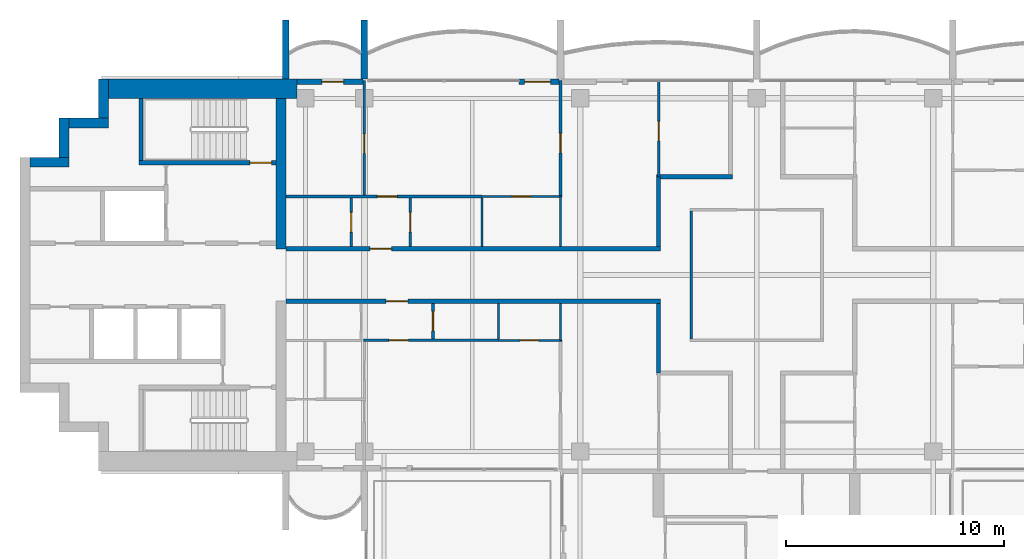
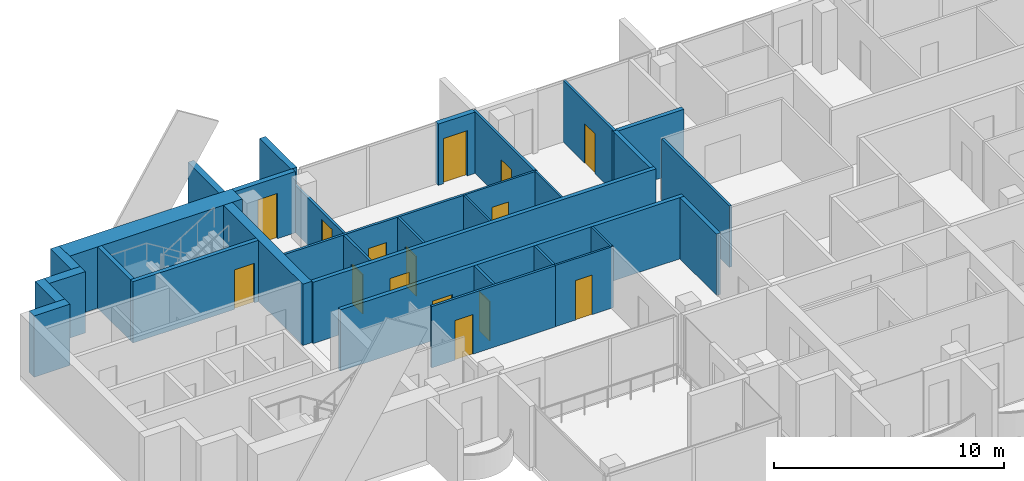
# One storey, part 8 of 16: 32 walls, 15 doors, 15 openings.
"""IFC4 building model written with IfcOpenShell, lengths in metres."""

from ifc_helpers import new_model, si_unit, direction, frame, frame_2d, origin, place, context, subcontext, project, spatial, rectangle, extrude, material, layer, layer_set, type_object, element, fill, save


model = new_model("IFC4")

# Units and contexts
model_context = context("Model", 3, precision=1e-05, world=origin(), true_north=direction((0.0, 1.0)))
body_context = subcontext(model_context, "Body", "Model", "MODEL_VIEW")
ifc_project = project(units=[si_unit("LENGTHUNIT", "METRE"), si_unit("AREAUNIT", "SQUARE_METRE"), si_unit("VOLUMEUNIT", "CUBIC_METRE"), si_unit("PLANEANGLEUNIT", "RADIAN"), si_unit("MASSUNIT", "GRAM", prefix="KILO")], contexts=[model_context])

# Site, building, storey
site_placement = place(None, origin())
site = spatial("IfcSite", under=ifc_project, at=site_placement, CompositionType="ELEMENT")
building_placement = place(site_placement, origin())
building = spatial("IfcBuilding", under=site, at=building_placement, Name="Perihelion Cross Residences", CompositionType="ELEMENT")
storey_placement = place(building_placement, frame((0.0, 0.0, 271.0)))
storey = spatial("IfcBuildingStorey", under=building, at=storey_placement, Name="L69", CompositionType="ELEMENT", Elevation=271.0)

# Wall, opening, door
ifc_material_1 = material(Name="Plasterboard partition")
ifc_layer_1 = layer(ifc_material_1, 0.199951171875)
ifc_layer_set_1 = layer_set([ifc_layer_1], Name="Apartment separation wall 200")
wall_type_1 = type_object("IfcWallType", Name="Apartment separation wall 200", PredefinedType="PARTITIONING", material=ifc_layer_set_1)
wall_1_placement = place(storey_placement, frame((-21.60009765625, 1.199951171875, 0.0), z_axis=(0.0, 0.0, 1.0), x_axis=(1.0, 0.0, 0.0)))
wall_1 = element("IfcWall", 1, at=wall_1_placement, inside=storey, type_object=wall_type_1, Name="Partition L69 W013", PredefinedType="PARTITIONING", context=body_context, shape_type="SweptSolid", body=[
    extrude(rectangle(XDim=17.2001953125, YDim=0.199951171875, at=frame_2d((8.60009765625, 0.0))), origin(), (0.0, 0.0, 1.0), 3.25),
])
opening_1_placement = place(wall_1_placement, frame((3.85009765625, 0.0, 0.0)))
opening_1 = element("IfcOpeningElement", 2, at=opening_1_placement, cuts=wall_1, Name="Opening L69.A42", PredefinedType="OPENING", context=body_context, shape_type="SweptSolid", body=[
    extrude(rectangle(XDim=1.0, YDim=2.10009765625, at=frame_2d((0.5, 1.050048828125))), frame((0.0, 0.10986328125, 0.0), z_axis=(0.0, -1.0, 0.0), x_axis=(1.0, 0.0, 0.0)), (0.0, 0.0, 1.0), 0.219970703125),
])
ifc_material_2 = material(Name="Timber door leaf", Category="wood")
door_type_1 = type_object("IfcDoorType", Name="Flat entrance door 1000 x 2100", OperationType="SINGLE_SWING_LEFT", PredefinedType="DOOR", material=ifc_material_2)
door_1_placement = place(opening_1_placement, origin())
door_1 = element("IfcDoor", 3, at=door_1_placement, inside=storey, type_object=door_type_1, Name="Door L69.A42", OperationType="SINGLE_SWING_RIGHT", OverallHeight=2.10009765625, OverallWidth=1.0, PredefinedType="DOOR", context=body_context, shape_type="SweptSolid", body=[
    extrude(rectangle(XDim=1.0, YDim=2.10009765625, at=frame_2d((0.5, 1.050048828125))), frame((0.0, 0.02490234375, 0.0), z_axis=(0.0, -1.0, 0.0), x_axis=(1.0, 0.0, 0.0)), (0.0, 0.0, 1.0), 0.050048828125),
])
fill(opening_1, door_1)

# Walls
wall_2_placement = place(storey_placement, frame((-4.5, 1.300048828125, 0.0), z_axis=(0.0, 0.0, 1.0), x_axis=(0.0, 1.0, 0.0)))
element("IfcWall", 4, at=wall_2_placement, inside=storey, type_object=wall_type_1, Name="Partition L69 W014", PredefinedType="PARTITIONING", context=body_context, shape_type="SweptSolid", body=[
    extrude(rectangle(XDim=3.199951171875, YDim=0.199951171875, at=frame_2d((1.60009765625, 0.0))), origin(), (0.0, 0.0, 1.0), 3.25),
])
wall_3_placement = place(storey_placement, frame((-4.60009765625, 4.5, 0.0), z_axis=(0.0, 0.0, 1.0), x_axis=(1.0, 0.0, 0.0)))
element("IfcWall", 5, at=wall_3_placement, inside=storey, type_object=wall_type_1, Name="Partition L69 W015", PredefinedType="PARTITIONING", context=body_context, shape_type="SweptSolid", body=[
    extrude(rectangle(XDim=3.5, YDim=0.199951171875, at=frame_2d((1.75, 0.0))), origin(), (0.0, 0.0, 1.0), 3.25),
])

# Wall, opening, door
wall_4_placement = place(storey_placement, frame((-4.39990234375, -1.199951171875, 0.0), z_axis=(0.0, 0.0, 1.0), x_axis=(-1.0, 0.0, 0.0)))
wall_4 = element("IfcWall", 6, at=wall_4_placement, inside=storey, type_object=wall_type_1, Name="Partition L69 W017", PredefinedType="PARTITIONING", context=body_context, shape_type="SweptSolid", body=[
    extrude(rectangle(XDim=17.2001953125, YDim=0.199951171875, at=frame_2d((8.60009765625, 0.0))), origin(), (0.0, 0.0, 1.0), 3.25),
])
opening_2_placement = place(wall_4_placement, frame((11.60009765625, 0.0, 0.0)))
opening_2 = element("IfcOpeningElement", 7, at=opening_2_placement, cuts=wall_4, Name="Opening L69.A43", PredefinedType="OPENING", context=body_context, shape_type="SweptSolid", body=[
    extrude(rectangle(XDim=1.0, YDim=2.10009765625, at=frame_2d((0.5, 1.050048828125))), frame((0.0, 0.10986328125, 0.0), z_axis=(0.0, -1.0, 0.0), x_axis=(1.0, 0.0, 0.0)), (0.0, 0.0, 1.0), 0.219970703125),
])
door_2_placement = place(opening_2_placement, origin())
door_2 = element("IfcDoor", 8, at=door_2_placement, inside=storey, type_object=door_type_1, Name="Door L69.A43", OperationType="SINGLE_SWING_RIGHT", OverallHeight=2.10009765625, OverallWidth=1.0, PredefinedType="DOOR", context=body_context, shape_type="SweptSolid", body=[
    extrude(rectangle(XDim=1.0, YDim=2.10009765625, at=frame_2d((0.5, 1.050048828125))), frame((0.0, 0.02490234375, 0.0), z_axis=(0.0, -1.0, 0.0), x_axis=(1.0, 0.0, 0.0)), (0.0, 0.0, 1.0), 0.050048828125),
])
fill(opening_2, door_2)

# Wall
wall_5_placement = place(storey_placement, frame((-4.5, -4.5, 0.0), z_axis=(0.0, 0.0, 1.0), x_axis=(0.0, 1.0, 0.0)))
element("IfcWall", 9, at=wall_5_placement, inside=storey, type_object=wall_type_1, Name="Partition L69 W018", PredefinedType="PARTITIONING", context=body_context, shape_type="SweptSolid", body=[
    extrude(rectangle(XDim=3.199951171875, YDim=0.199951171875, at=frame_2d((1.60009765625, 0.0))), origin(), (0.0, 0.0, 1.0), 3.25),
])

# Wall, opening, door
ifc_material_3 = material(Name="Concrete C30/37, bronze-clad", Category="concrete")
ifc_layer_2 = layer(ifc_material_3, 0.25)
ifc_layer_set_2 = layer_set([ifc_layer_2], Name="Bronze-clad pier wall 250")
wall_type_2 = type_object("IfcWallType", Name="Bronze-clad pier wall 250", PredefinedType="SOLIDWALL", material=ifc_layer_set_2)
wall_6_placement = place(storey_placement, frame((-9.06005859375, 8.875, 0.0), z_axis=(0.0, 0.0, 1.0), x_axis=(-1.0, 0.0, 0.0)))
wall_6 = element("IfcWall", 10, at=wall_6_placement, inside=storey, type_object=wall_type_2, Name="Wall FW1 L69 west side north bay 1 pier", PredefinedType="SOLIDWALL", context=body_context, shape_type="SweptSolid", body=[
    extrude(rectangle(XDim=1.83984375, YDim=0.25, at=frame_2d((0.919921875, 0.0))), origin(), (0.0, 0.0, 1.0), 3.25),
])
opening_3_placement = place(wall_6_placement, frame((0.389892578125, 0.0, 0.0)))
opening_3 = element("IfcOpeningElement", 11, at=opening_3_placement, cuts=wall_6, Name="Opening L69.E05", PredefinedType="OPENING", context=body_context, shape_type="SweptSolid", body=[
    extrude(rectangle(XDim=1.199951171875, YDim=2.39990234375, at=frame_2d((0.60009765625, 1.199951171875))), frame((0.0, 0.135009765625, 0.0), z_axis=(0.0, -1.0, 0.0), x_axis=(1.0, 0.0, 0.0)), (0.0, 0.0, 1.0), 0.27001953125),
])
ifc_material_4 = material(Name="Bronze anodised aluminium, glazed", Category="aluminium")
door_type_2 = type_object("IfcDoorType", Name="Balcony door 1200 x 2400", OperationType="NOTDEFINED", PredefinedType="DOOR", material=ifc_material_4)
door_3_placement = place(opening_3_placement, origin())
door_3 = element("IfcDoor", 12, at=door_3_placement, inside=storey, type_object=door_type_2, Name="Door L69.E05 west side north bay 1", OperationType="SINGLE_SWING_LEFT", OverallHeight=2.39990234375, OverallWidth=1.199951171875, PredefinedType="DOOR", context=body_context, shape_type="SweptSolid", body=[
    extrude(rectangle(XDim=1.199951171875, YDim=2.39990234375, at=frame_2d((0.60009765625, 1.199951171875))), frame((0.0, 0.02490234375, 0.0), z_axis=(0.0, -1.0, 0.0), x_axis=(1.0, 0.0, 0.0)), (0.0, 0.0, 1.0), 0.050048828125),
])
fill(opening_3, door_3)

wall_7_placement = place(storey_placement, frame((-18.06005859375, 8.875, 0.0), z_axis=(0.0, 0.0, 1.0), x_axis=(-1.0, 0.0, 0.0)))
wall_7 = element("IfcWall", 13, at=wall_7_placement, inside=storey, type_object=wall_type_2, Name="Wall FW1 L69 west side north bay 2 pier", PredefinedType="SOLIDWALL", context=body_context, shape_type="SweptSolid", body=[
    extrude(rectangle(XDim=3.0400390625, YDim=0.25, at=frame_2d((1.52001953125, 0.0))), origin(), (0.0, 0.0, 1.0), 3.25),
])
opening_4_placement = place(wall_7_placement, frame((0.889892578125, 0.0, 0.0)))
opening_4 = element("IfcOpeningElement", 14, at=opening_4_placement, cuts=wall_7, Name="Opening L69.E06", PredefinedType="OPENING", context=body_context, shape_type="SweptSolid", body=[
    extrude(rectangle(XDim=1.0, YDim=2.39990234375, at=frame_2d((0.5, 1.199951171875))), frame((0.0, 0.135009765625, 0.0), z_axis=(0.0, -1.0, 0.0), x_axis=(1.0, 0.0, 0.0)), (0.0, 0.0, 1.0), 0.27001953125),
])
ifc_material_5 = material(Name="Bronze anodised aluminium, glazed", Category="aluminium")
door_type_3 = type_object("IfcDoorType", Name="Balcony door 1000 x 2400", OperationType="NOTDEFINED", PredefinedType="DOOR", material=ifc_material_5)
door_4_placement = place(opening_4_placement, origin())
door_4 = element("IfcDoor", 15, at=door_4_placement, inside=storey, type_object=door_type_3, Name="Door L69.E06 west side north bay 2", OperationType="SINGLE_SWING_RIGHT", OverallHeight=2.39990234375, OverallWidth=1.0, PredefinedType="DOOR", context=body_context, shape_type="SweptSolid", body=[
    extrude(rectangle(XDim=1.0, YDim=2.39990234375, at=frame_2d((0.5, 1.199951171875))), frame((0.0, 0.02490234375, 0.0), z_axis=(0.0, -1.0, 0.0), x_axis=(1.0, 0.0, 0.0)), (0.0, 0.0, 1.0), 0.050048828125),
])
fill(opening_4, door_4)

# Walls
ifc_material_6 = material(Name="Concrete C60/75", Category="concrete")
ifc_layer_3 = layer(ifc_material_6, 0.449951171875)
ifc_layer_set_3 = layer_set([ifc_layer_3], Name="Core wall, inner 450")
wall_type_3 = type_object("IfcWallType", Name="Core wall, inner 450", PredefinedType="SHEAR", material=ifc_layer_set_3)
wall_8_placement = place(storey_placement, frame((-21.824951171875, 1.199951171875, 0.0), z_axis=(0.0, 0.0, 1.0), x_axis=(0.0, 1.0, 0.0)))
element("IfcWall", 16, at=wall_8_placement, inside=storey, type_object=wall_type_3, Name="West core core wall, inner", PredefinedType="SHEAR", context=body_context, shape_type="SweptSolid", body=[
    extrude(rectangle(XDim=6.900146484375, YDim=0.449951171875, at=frame_2d((3.4501953125, 0.0))), origin(), (0.0, 0.0, 1.0), 3.25),
])
ifc_material_7 = material(Name="Concrete C60/75", Category="concrete")
ifc_layer_4 = layer(ifc_material_7, 0.449951171875)
ifc_layer_set_4 = layer_set([ifc_layer_4], Name="Core wall, outer 450")
wall_type_4 = type_object("IfcWallType", Name="Core wall, outer 450", PredefinedType="SHEAR", material=ifc_layer_set_4)
for number, where, z_axis, x_axis, name in (
    (17, (-33.35009765625, 5.175048828125, 0.0), (0.0, 0.0, 1.0), (1.0, 0.0, 0.0), "West core core wall, outer"),
    (18, (-31.77490234375, 5.39990234375, 0.0), (0.0, 0.0, 1.0), (0.0, 1.0, 0.0), "West core core wall, outer"),
    (19, (-31.550048828125, 6.97509765625, 0.0), (0.0, 0.0, 1.0), (1.0, 0.0, 0.0), "West core core wall, outer"),
    (20, (-29.97509765625, 7.199951171875, 0.0), (0.0, 0.0, 1.0), (0.0, 1.0, 0.0), "West core core wall, outer"),
):
    element("IfcWall", number, at=place(storey_placement, frame(where, z_axis=z_axis, x_axis=x_axis)), inside=storey, type_object=wall_type_4, Name=name, PredefinedType="SHEAR", context=body_context, shape_type="SweptSolid", body=[
        extrude(rectangle(XDim=1.800048828125, YDim=0.449951171875, at=frame_2d((0.89990234375, 0.0))), origin(), (0.0, 0.0, 1.0), 3.25),
    ])
ifc_material_8 = material(Name="Concrete C60/75", Category="concrete")
ifc_layer_5 = layer(ifc_material_8, 0.89990234375)
ifc_layer_set_5 = layer_set([ifc_layer_5], Name="Core wall, outer 900")
wall_type_5 = type_object("IfcWallType", Name="Core wall, outer 900", PredefinedType="SHEAR", material=ifc_layer_set_5)
wall_9_placement = place(storey_placement, frame((-29.75, 8.550048828125, 0.0), z_axis=(0.0, 0.0, 1.0), x_axis=(1.0, 0.0, 0.0)))
element("IfcWall", 21, at=wall_9_placement, inside=storey, type_object=wall_type_5, Name="West core core wall, outer", PredefinedType="SHEAR", context=body_context, shape_type="SweptSolid", body=[
    extrude(rectangle(XDim=8.64990234375, YDim=0.89990234375, at=frame_2d((4.324951171875, 0.0))), origin(), (0.0, 0.0, 1.0), 3.25),
])
ifc_material_9 = material(Name="Plasterboard partition")
ifc_layer_6 = layer(ifc_material_9, 0.1201171875)
ifc_layer_set_6 = layer_set([ifc_layer_6], Name="Partition wall 120")
wall_type_6 = type_object("IfcWallType", Name="Partition wall 120", PredefinedType="PARTITIONING", material=ifc_layer_set_6)
wall_10_placement = place(storey_placement, frame((-3.0, 2.93994140625, 0.0), z_axis=(0.0, 0.0, 1.0), x_axis=(0.0, -1.0, 0.0)))
element("IfcWall", 22, at=wall_10_placement, inside=storey, type_object=wall_type_6, Name="Partition L69 W004", PredefinedType="PARTITIONING", context=body_context, shape_type="SweptSolid", body=[
    extrude(rectangle(XDim=5.8798828125, YDim=0.1201171875, at=frame_2d((2.93994140625, 0.0))), origin(), (0.0, 0.0, 1.0), 3.25),
])

# Wall, opening, door
wall_11_placement = place(storey_placement, frame((-15.89990234375, 1.300048828125, 0.0), z_axis=(0.0, 0.0, 1.0), x_axis=(0.0, 1.0, 0.0)))
wall_11 = element("IfcWall", 23, at=wall_11_placement, inside=storey, type_object=wall_type_6, Name="Partition L69 W047", PredefinedType="PARTITIONING", context=body_context, shape_type="SweptSolid", body=[
    extrude(rectangle(XDim=2.239990234375, YDim=0.1201171875, at=frame_2d((1.1201171875, 0.0))), origin(), (0.0, 0.0, 1.0), 3.25),
])
opening_5_placement = place(wall_11_placement, frame((0.669921875, 0.0, 0.0)))
opening_5 = element("IfcOpeningElement", 24, at=opening_5_placement, cuts=wall_11, Name="Opening L69.A20", PredefinedType="OPENING", context=body_context, shape_type="SweptSolid", body=[
    extrude(rectangle(XDim=0.89990234375, YDim=2.10009765625, at=frame_2d((0.449951171875, 1.050048828125))), frame((0.0, 0.070068359375, 0.0), z_axis=(0.0, -1.0, 0.0), x_axis=(1.0, 0.0, 0.0)), (0.0, 0.0, 1.0), 0.14013671875),
])
ifc_material_10 = material(Name="Timber door leaf", Category="wood")
door_type_4 = type_object("IfcDoorType", Name="Interior room door 900 x 2100", OperationType="SINGLE_SWING_LEFT", PredefinedType="DOOR", material=ifc_material_10)
door_5_placement = place(opening_5_placement, origin())
door_5 = element("IfcDoor", 25, at=door_5_placement, inside=storey, type_object=door_type_4, Name="Door L69.A20", OperationType="SINGLE_SWING_LEFT", OverallHeight=2.10009765625, OverallWidth=0.89990234375, PredefinedType="DOOR", context=body_context, shape_type="SweptSolid", body=[
    extrude(rectangle(XDim=0.89990234375, YDim=2.10009765625, at=frame_2d((0.449951171875, 1.050048828125))), frame((0.0, 0.02490234375, 0.0), z_axis=(0.0, -1.0, 0.0), x_axis=(1.0, 0.0, 0.0)), (0.0, 0.0, 1.0), 0.050048828125),
])
fill(opening_5, door_5)

wall_12_placement = place(storey_placement, frame((-21.60009765625, 3.60009765625, 0.0), z_axis=(0.0, 0.0, 1.0), x_axis=(1.0, 0.0, 0.0)))
wall_12 = element("IfcWall", 26, at=wall_12_placement, inside=storey, type_object=wall_type_6, Name="Partition L69 W048", PredefinedType="PARTITIONING", context=body_context, shape_type="SweptSolid", body=[
    extrude(rectangle(XDim=9.0, YDim=0.1201171875, at=frame_2d((4.5, 0.0))), origin(), (0.0, 0.0, 1.0), 3.25),
])
opening_6_placement = place(wall_12_placement, frame((4.199951171875, 0.0, 0.0)))
opening_6 = element("IfcOpeningElement", 27, at=opening_6_placement, cuts=wall_12, Name="Opening L69.A21", PredefinedType="OPENING", context=body_context, shape_type="SweptSolid", body=[
    extrude(rectangle(XDim=0.89990234375, YDim=2.10009765625, at=frame_2d((0.449951171875, 1.050048828125))), frame((0.0, 0.070068359375, 0.0), z_axis=(0.0, -1.0, 0.0), x_axis=(1.0, 0.0, 0.0)), (0.0, 0.0, 1.0), 0.14013671875),
])
door_6_placement = place(opening_6_placement, origin())
door_6 = element("IfcDoor", 28, at=door_6_placement, inside=storey, type_object=door_type_4, Name="Door L69.A21", OperationType="SINGLE_SWING_LEFT", OverallHeight=2.10009765625, OverallWidth=0.89990234375, PredefinedType="DOOR", context=body_context, shape_type="SweptSolid", body=[
    extrude(rectangle(XDim=0.89990234375, YDim=2.10009765625, at=frame_2d((0.449951171875, 1.050048828125))), frame((0.0, 0.02490234375, 0.0), z_axis=(0.0, -1.0, 0.0), x_axis=(1.0, 0.0, 0.0)), (0.0, 0.0, 1.0), 0.050048828125),
])
fill(opening_6, door_6)

wall_13_placement = place(storey_placement, frame((-18.60009765625, 1.300048828125, 0.0), z_axis=(0.0, 0.0, 1.0), x_axis=(0.0, 1.0, 0.0)))
wall_13 = element("IfcWall", 29, at=wall_13_placement, inside=storey, type_object=wall_type_6, Name="Partition L69 W049", PredefinedType="PARTITIONING", context=body_context, shape_type="SweptSolid", body=[
    extrude(rectangle(XDim=2.239990234375, YDim=0.1201171875, at=frame_2d((1.1201171875, 0.0))), origin(), (0.0, 0.0, 1.0), 3.25),
])
opening_7_placement = place(wall_13_placement, frame((0.669921875, 0.0, 0.0)))
opening_7 = element("IfcOpeningElement", 30, at=opening_7_placement, cuts=wall_13, Name="Opening L69.A19", PredefinedType="OPENING", context=body_context, shape_type="SweptSolid", body=[
    extrude(rectangle(XDim=0.89990234375, YDim=2.10009765625, at=frame_2d((0.449951171875, 1.050048828125))), frame((0.0, 0.070068359375, 0.0), z_axis=(0.0, -1.0, 0.0), x_axis=(1.0, 0.0, 0.0)), (0.0, 0.0, 1.0), 0.14013671875),
])
door_7_placement = place(opening_7_placement, origin())
door_7 = element("IfcDoor", 31, at=door_7_placement, inside=storey, type_object=door_type_4, Name="Door L69.A19", OperationType="SINGLE_SWING_LEFT", OverallHeight=2.10009765625, OverallWidth=0.89990234375, PredefinedType="DOOR", context=body_context, shape_type="SweptSolid", body=[
    extrude(rectangle(XDim=0.89990234375, YDim=2.10009765625, at=frame_2d((0.449951171875, 1.050048828125))), frame((0.0, 0.02490234375, 0.0), z_axis=(0.0, -1.0, 0.0), x_axis=(1.0, 0.0, 0.0)), (0.0, 0.0, 1.0), 0.050048828125),
])
fill(opening_7, door_7)

wall_14_placement = place(storey_placement, frame((-18.0, 3.659912109375, 0.0), z_axis=(0.0, 0.0, 1.0), x_axis=(0.0, 1.0, 0.0)))
wall_14 = element("IfcWall", 32, at=wall_14_placement, inside=storey, type_object=wall_type_6, Name="Partition L69 W050", PredefinedType="PARTITIONING", context=body_context, shape_type="SweptSolid", body=[
    extrude(rectangle(XDim=5.260009765625, YDim=0.1201171875, at=frame_2d((2.6298828125, 0.0))), origin(), (0.0, 0.0, 1.0), 2.49609375),
])
opening_8_placement = place(wall_14_placement, frame((1.919921875, 0.0, 0.0)))
opening_8 = element("IfcOpeningElement", 33, at=opening_8_placement, cuts=wall_14, Name="Opening L69.A22", PredefinedType="OPENING", context=body_context, shape_type="SweptSolid", body=[
    extrude(rectangle(XDim=0.89990234375, YDim=2.10009765625, at=frame_2d((0.449951171875, 1.050048828125))), frame((0.0, 0.070068359375, 0.0), z_axis=(0.0, -1.0, 0.0), x_axis=(1.0, 0.0, 0.0)), (0.0, 0.0, 1.0), 0.14013671875),
])
door_8_placement = place(opening_8_placement, origin())
door_8 = element("IfcDoor", 34, at=door_8_placement, inside=storey, type_object=door_type_4, Name="Door L69.A22", OperationType="SINGLE_SWING_RIGHT", OverallHeight=2.10009765625, OverallWidth=0.89990234375, PredefinedType="DOOR", context=body_context, shape_type="SweptSolid", body=[
    extrude(rectangle(XDim=0.89990234375, YDim=2.10009765625, at=frame_2d((0.449951171875, 1.050048828125))), frame((0.0, 0.02490234375, 0.0), z_axis=(0.0, -1.0, 0.0), x_axis=(1.0, 0.0, 0.0)), (0.0, 0.0, 1.0), 0.050048828125),
])
fill(opening_8, door_8)

wall_15_placement = place(storey_placement, frame((-9.0, 8.919921875, 0.0), z_axis=(0.0, 0.0, 1.0), x_axis=(0.0, -1.0, 0.0)))
wall_15 = element("IfcWall", 35, at=wall_15_placement, inside=storey, type_object=wall_type_6, Name="Partition L69 W051", PredefinedType="PARTITIONING", context=body_context, shape_type="SweptSolid", body=[
    extrude(rectangle(XDim=5.31982421875, YDim=0.1201171875, at=frame_2d((2.659912109375, 0.0))), origin(), (0.0, 0.0, 1.0), 3.25),
])
opening_9_placement = place(wall_15_placement, frame((2.419921875, 0.0, 0.0)))
opening_9 = element("IfcOpeningElement", 36, at=opening_9_placement, cuts=wall_15, Name="Opening L69.A24", PredefinedType="OPENING", context=body_context, shape_type="SweptSolid", body=[
    extrude(rectangle(XDim=0.89990234375, YDim=2.10009765625, at=frame_2d((0.449951171875, 1.050048828125))), frame((0.0, 0.070068359375, 0.0), z_axis=(0.0, -1.0, 0.0), x_axis=(1.0, 0.0, 0.0)), (0.0, 0.0, 1.0), 0.14013671875),
])
door_9_placement = place(opening_9_placement, origin())
door_9 = element("IfcDoor", 37, at=door_9_placement, inside=storey, type_object=door_type_4, Name="Door L69.A24", OperationType="SINGLE_SWING_RIGHT", OverallHeight=2.10009765625, OverallWidth=0.89990234375, PredefinedType="DOOR", context=body_context, shape_type="SweptSolid", body=[
    extrude(rectangle(XDim=0.89990234375, YDim=2.10009765625, at=frame_2d((0.449951171875, 1.050048828125))), frame((0.0, 0.02490234375, 0.0), z_axis=(0.0, -1.0, 0.0), x_axis=(1.0, 0.0, 0.0)), (0.0, 0.0, 1.0), 0.050048828125),
])
fill(opening_9, door_9)

wall_16_placement = place(storey_placement, frame((-4.5, 8.919921875, 0.0), z_axis=(0.0, 0.0, 1.0), x_axis=(0.0, -1.0, 0.0)))
wall_16 = element("IfcWall", 38, at=wall_16_placement, inside=storey, type_object=wall_type_6, Name="Partition L69 W052", PredefinedType="PARTITIONING", context=body_context, shape_type="SweptSolid", body=[
    extrude(rectangle(XDim=4.419921875, YDim=0.1201171875, at=frame_2d((2.2099609375, 0.0))), origin(), (0.0, 0.0, 1.0), 3.25),
])
opening_10_placement = place(wall_16_placement, frame((1.8701171875, 0.0, 0.0)))
opening_10 = element("IfcOpeningElement", 39, at=opening_10_placement, cuts=wall_16, Name="Opening L69.A18", PredefinedType="OPENING", context=body_context, shape_type="SweptSolid", body=[
    extrude(rectangle(XDim=0.89990234375, YDim=2.10009765625, at=frame_2d((0.449951171875, 1.050048828125))), frame((0.0, 0.070068359375, 0.0), z_axis=(0.0, -1.0, 0.0), x_axis=(1.0, 0.0, 0.0)), (0.0, 0.0, 1.0), 0.14013671875),
])
door_10_placement = place(opening_10_placement, origin())
door_10 = element("IfcDoor", 40, at=door_10_placement, inside=storey, type_object=door_type_4, Name="Door L69.A18", OperationType="SINGLE_SWING_RIGHT", OverallHeight=2.10009765625, OverallWidth=0.89990234375, PredefinedType="DOOR", context=body_context, shape_type="SweptSolid", body=[
    extrude(rectangle(XDim=0.89990234375, YDim=2.10009765625, at=frame_2d((0.449951171875, 1.050048828125))), frame((0.0, 0.02490234375, 0.0), z_axis=(0.0, -1.0, 0.0), x_axis=(1.0, 0.0, 0.0)), (0.0, 0.0, 1.0), 0.050048828125),
])
fill(opening_10, door_10)

wall_17_placement = place(storey_placement, frame((-14.85009765625, -2.93994140625, 0.0), z_axis=(0.0, 0.0, 1.0), x_axis=(0.0, 1.0, 0.0)))
wall_17 = element("IfcWall", 41, at=wall_17_placement, inside=storey, type_object=wall_type_6, Name="Partition L69 W056", PredefinedType="PARTITIONING", context=body_context, shape_type="SweptSolid", body=[
    extrude(rectangle(XDim=1.639892578125, YDim=0.1201171875, at=frame_2d((0.81982421875, 0.0))), origin(), (0.0, 0.0, 1.0), 3.25),
])
opening_11_placement = place(wall_17_placement, frame((0.3701171875, 0.0, 0.0)))
opening_11 = element("IfcOpeningElement", 42, at=opening_11_placement, cuts=wall_17, Name="Opening L69.A30", PredefinedType="OPENING", context=body_context, shape_type="SweptSolid", body=[
    extrude(rectangle(XDim=0.89990234375, YDim=2.10009765625, at=frame_2d((0.449951171875, 1.050048828125))), frame((0.0, 0.070068359375, 0.0), z_axis=(0.0, -1.0, 0.0), x_axis=(1.0, 0.0, 0.0)), (0.0, 0.0, 1.0), 0.14013671875),
])
door_11_placement = place(opening_11_placement, origin())
door_11 = element("IfcDoor", 43, at=door_11_placement, inside=storey, type_object=door_type_4, Name="Door L69.A30", OperationType="SINGLE_SWING_LEFT", OverallHeight=2.10009765625, OverallWidth=0.89990234375, PredefinedType="DOOR", context=body_context, shape_type="SweptSolid", body=[
    extrude(rectangle(XDim=0.89990234375, YDim=2.10009765625, at=frame_2d((0.449951171875, 1.050048828125))), frame((0.0, 0.02490234375, 0.0), z_axis=(0.0, -1.0, 0.0), x_axis=(1.0, 0.0, 0.0)), (0.0, 0.0, 1.0), 0.050048828125),
])
fill(opening_11, door_11)

wall_18_placement = place(storey_placement, frame((-11.85009765625, -3.0, 0.0), z_axis=(0.0, 0.0, 1.0), x_axis=(-1.0, 0.0, 0.0)))
wall_18 = element("IfcWall", 44, at=wall_18_placement, inside=storey, type_object=wall_type_6, Name="Partition L69 W057", PredefinedType="PARTITIONING", context=body_context, shape_type="SweptSolid", body=[
    extrude(rectangle(XDim=6.199951171875, YDim=0.1201171875, at=frame_2d((3.10009765625, 0.0))), origin(), (0.0, 0.0, 1.0), 3.25),
])
opening_12_placement = place(wall_18_placement, frame((4.125, 0.0, 0.0)))
opening_12 = element("IfcOpeningElement", 45, at=opening_12_placement, cuts=wall_18, Name="Opening L69.A31", PredefinedType="OPENING", context=body_context, shape_type="SweptSolid", body=[
    extrude(rectangle(XDim=0.89990234375, YDim=2.10009765625, at=frame_2d((0.449951171875, 1.050048828125))), frame((0.0, 0.070068359375, 0.0), z_axis=(0.0, -1.0, 0.0), x_axis=(1.0, 0.0, 0.0)), (0.0, 0.0, 1.0), 0.14013671875),
])
door_12_placement = place(opening_12_placement, origin())
door_12 = element("IfcDoor", 46, at=door_12_placement, inside=storey, type_object=door_type_4, Name="Door L69.A31", OperationType="SINGLE_SWING_RIGHT", OverallHeight=2.10009765625, OverallWidth=0.89990234375, PredefinedType="DOOR", context=body_context, shape_type="SweptSolid", body=[
    extrude(rectangle(XDim=0.89990234375, YDim=2.10009765625, at=frame_2d((0.449951171875, 1.050048828125))), frame((0.0, 0.02490234375, 0.0), z_axis=(0.0, -1.0, 0.0), x_axis=(1.0, 0.0, 0.0)), (0.0, 0.0, 1.0), 0.050048828125),
])
fill(opening_12, door_12)

# Walls
ifc_material_11 = material(Name="Precast concrete C50/60", Category="concrete")
ifc_layer_7 = layer(ifc_material_11, 0.300048828125)
ifc_layer_set_7 = layer_set([ifc_layer_7], Name="Precast concrete C50/60 blade wall 300")
wall_type_7 = type_object("IfcWallType", Name="Precast concrete C50/60 blade wall 300", PredefinedType="SOLIDWALL", material=ifc_layer_set_7)
for number, where, z_axis, x_axis, name in (
    (47, (-21.60009765625, 9.0, 0.0), (0.0, 0.0, 1.0), (0.0, 1.0, 0.0), "Wall BL1 L69 no. 4"),
    (48, (-18.0, 9.0, 0.0), (0.0, 0.0, 1.0), (0.0, 1.0, 0.0), "Wall BL1 L69 no. 2"),
):
    element("IfcWall", number, at=place(storey_placement, frame(where, z_axis=z_axis, x_axis=x_axis)), inside=storey, type_object=wall_type_7, Name=name, PredefinedType="SOLIDWALL", context=body_context, shape_type="SweptSolid", body=[
        extrude(rectangle(XDim=2.699951171875, YDim=0.300048828125, at=frame_2d((1.35009765625, 0.0))), origin(), (0.0, 0.0, 1.0), 3.25),
    ])

# Wall, opening, door
ifc_material_12 = material(Name="Concrete C50/60", Category="concrete")
ifc_layer_8 = layer(ifc_material_12, 0.199951171875)
ifc_layer_set_8 = layer_set([ifc_layer_8], Name="Stair wall 200")
wall_type_8 = type_object("IfcWallType", Name="Stair wall 200", PredefinedType="SOLIDWALL", material=ifc_layer_set_8)
wall_19_placement = place(storey_placement, frame((-28.35009765625, 5.14990234375, 0.0), z_axis=(0.0, 0.0, 1.0), x_axis=(1.0, 0.0, 0.0)))
wall_19 = element("IfcWall", 49, at=wall_19_placement, inside=storey, type_object=wall_type_8, Name="West core stair wall", PredefinedType="SOLIDWALL", context=body_context, shape_type="SweptSolid", body=[
    extrude(rectangle(XDim=6.300048828125, YDim=0.199951171875, at=frame_2d((3.14990234375, 0.0))), origin(), (0.0, 0.0, 1.0), 3.25),
])
opening_13_placement = place(wall_19_placement, frame((5.10009765625, 0.0, 0.0)))
opening_13 = element("IfcOpeningElement", 50, at=opening_13_placement, cuts=wall_19, Name="Opening L69.C18", PredefinedType="OPENING", context=body_context, shape_type="SweptSolid", body=[
    extrude(rectangle(XDim=1.0, YDim=2.10009765625, at=frame_2d((0.5, 1.050048828125))), frame((0.0, 0.10986328125, 0.0), z_axis=(0.0, -1.0, 0.0), x_axis=(1.0, 0.0, 0.0)), (0.0, 0.0, 1.0), 0.219970703125),
])
ifc_material_13 = material(Name="Steel, powder coated", Category="steel")
door_type_5 = type_object("IfcDoorType", Name="Stair door 1000", OperationType="SINGLE_SWING_LEFT", PredefinedType="DOOR", material=ifc_material_13)
door_13_placement = place(opening_13_placement, origin())
door_13 = element("IfcDoor", 51, at=door_13_placement, inside=storey, type_object=door_type_5, Name="West core stair door", OperationType="SINGLE_SWING_LEFT", OverallHeight=2.10009765625, OverallWidth=1.0, PredefinedType="DOOR", context=body_context, shape_type="SweptSolid", body=[
    extrude(rectangle(XDim=1.0, YDim=2.10009765625, at=frame_2d((0.5, 1.050048828125))), frame((0.0, 0.02490234375, 0.0), z_axis=(0.0, -1.0, 0.0), x_axis=(1.0, 0.0, 0.0)), (0.0, 0.0, 1.0), 0.050048828125),
])
fill(opening_13, door_13)

# Walls
wall_20_placement = place(storey_placement, frame((-28.25, 5.25, 0.0), z_axis=(0.0, 0.0, 1.0), x_axis=(0.0, 1.0, 0.0)))
element("IfcWall", 52, at=wall_20_placement, inside=storey, type_object=wall_type_8, Name="West core stair wall", PredefinedType="SOLIDWALL", context=body_context, shape_type="SweptSolid", body=[
    extrude(rectangle(XDim=2.85009765625, YDim=0.199951171875, at=frame_2d((1.425048828125, 0.0))), origin(), (0.0, 0.0, 1.0), 3.25),
])
ifc_material_14 = material(Name="Plasterboard partition")
ifc_layer_9 = layer(ifc_material_14, 0.10009765625)
ifc_layer_set_9 = layer_set([ifc_layer_9], Name="Wet room wall 100")
wall_type_9 = type_object("IfcWallType", Name="Wet room wall 100", PredefinedType="PARTITIONING", material=ifc_layer_set_9)
wall_21_placement = place(storey_placement, frame((-12.60009765625, 1.300048828125, 0.0), z_axis=(0.0, 0.0, 1.0), x_axis=(0.0, 1.0, 0.0)))
element("IfcWall", 53, at=wall_21_placement, inside=storey, type_object=wall_type_9, Name="Partition L69 W044", PredefinedType="PARTITIONING", context=body_context, shape_type="SweptSolid", body=[
    extrude(rectangle(XDim=2.239990234375, YDim=0.10009765625, at=frame_2d((1.1201171875, 0.0))), origin(), (0.0, 0.0, 1.0), 3.25),
])

# Wall, opening, door
wall_22_placement = place(storey_placement, frame((-12.60009765625, 3.60009765625, 0.0), z_axis=(0.0, 0.0, 1.0), x_axis=(1.0, 0.0, 0.0)))
wall_22 = element("IfcWall", 54, at=wall_22_placement, inside=storey, type_object=wall_type_9, Name="Partition L69 W045", PredefinedType="PARTITIONING", context=body_context, shape_type="SweptSolid", body=[
    extrude(rectangle(XDim=3.66015625, YDim=0.10009765625, at=frame_2d((1.830078125, 0.0))), origin(), (0.0, 0.0, 1.0), 3.25),
])
opening_14_placement = place(wall_22_placement, frame((1.375, 0.0, 0.0)))
opening_14 = element("IfcOpeningElement", 55, at=opening_14_placement, cuts=wall_22, Name="Opening L69.A23", PredefinedType="OPENING", context=body_context, shape_type="SweptSolid", body=[
    extrude(rectangle(XDim=0.85009765625, YDim=2.10009765625, at=frame_2d((0.425048828125, 1.050048828125))), frame((0.0, 0.06005859375, 0.0), z_axis=(0.0, -1.0, 0.0), x_axis=(1.0, 0.0, 0.0)), (0.0, 0.0, 1.0), 0.1201171875),
])
ifc_material_15 = material(Name="Timber door leaf", Category="wood")
door_type_6 = type_object("IfcDoorType", Name="Interior bathroom door 850 x 2100", OperationType="SINGLE_SWING_LEFT", PredefinedType="DOOR", material=ifc_material_15)
door_14_placement = place(opening_14_placement, origin())
door_14 = element("IfcDoor", 56, at=door_14_placement, inside=storey, type_object=door_type_6, Name="Door L69.A23", OperationType="SINGLE_SWING_LEFT", OverallHeight=2.10009765625, OverallWidth=0.85009765625, PredefinedType="DOOR", context=body_context, shape_type="SweptSolid", body=[
    extrude(rectangle(XDim=0.85009765625, YDim=2.10009765625, at=frame_2d((0.425048828125, 1.050048828125))), frame((0.0, 0.02490234375, 0.0), z_axis=(0.0, -1.0, 0.0), x_axis=(1.0, 0.0, 0.0)), (0.0, 0.0, 1.0), 0.050048828125),
])
fill(opening_14, door_14)

# Walls
wall_23_placement = place(storey_placement, frame((-9.0, 3.60009765625, 0.0), z_axis=(0.0, 0.0, 1.0), x_axis=(0.0, -1.0, 0.0)))
element("IfcWall", 57, at=wall_23_placement, inside=storey, type_object=wall_type_9, Name="Partition L69 W046", PredefinedType="PARTITIONING", context=body_context, shape_type="SweptSolid", body=[
    extrude(rectangle(XDim=2.300048828125, YDim=0.10009765625, at=frame_2d((1.14990234375, 0.0))), origin(), (0.0, 0.0, 1.0), 3.25),
])
wall_24_placement = place(storey_placement, frame((-11.85009765625, -2.93994140625, 0.0), z_axis=(0.0, 0.0, 1.0), x_axis=(0.0, 1.0, 0.0)))
element("IfcWall", 58, at=wall_24_placement, inside=storey, type_object=wall_type_9, Name="Partition L69 W053", PredefinedType="PARTITIONING", context=body_context, shape_type="SweptSolid", body=[
    extrude(rectangle(XDim=1.639892578125, YDim=0.10009765625, at=frame_2d((0.81982421875, 0.0))), origin(), (0.0, 0.0, 1.0), 3.25),
])

# Wall, opening, door
wall_25_placement = place(storey_placement, frame((-8.93994140625, -3.0, 0.0), z_axis=(0.0, 0.0, 1.0), x_axis=(-1.0, 0.0, 0.0)))
wall_25 = element("IfcWall", 59, at=wall_25_placement, inside=storey, type_object=wall_type_9, Name="Partition L69 W054", PredefinedType="PARTITIONING", context=body_context, shape_type="SweptSolid", body=[
    extrude(rectangle(XDim=2.91015625, YDim=0.10009765625, at=frame_2d((1.455078125, 0.0))), origin(), (0.0, 0.0, 1.0), 3.25),
])
opening_15_placement = place(wall_25_placement, frame((1.06005859375, 0.0, 0.0)))
opening_15 = element("IfcOpeningElement", 60, at=opening_15_placement, cuts=wall_25, Name="Opening L69.A26", PredefinedType="OPENING", context=body_context, shape_type="SweptSolid", body=[
    extrude(rectangle(XDim=0.85009765625, YDim=2.10009765625, at=frame_2d((0.425048828125, 1.050048828125))), frame((0.0, 0.06005859375, 0.0), z_axis=(0.0, -1.0, 0.0), x_axis=(1.0, 0.0, 0.0)), (0.0, 0.0, 1.0), 0.1201171875),
])
door_15_placement = place(opening_15_placement, origin())
door_15 = element("IfcDoor", 61, at=door_15_placement, inside=storey, type_object=door_type_6, Name="Door L69.A26", OperationType="SINGLE_SWING_LEFT", OverallHeight=2.10009765625, OverallWidth=0.85009765625, PredefinedType="DOOR", context=body_context, shape_type="SweptSolid", body=[
    extrude(rectangle(XDim=0.85009765625, YDim=2.10009765625, at=frame_2d((0.425048828125, 1.050048828125))), frame((0.0, 0.02490234375, 0.0), z_axis=(0.0, -1.0, 0.0), x_axis=(1.0, 0.0, 0.0)), (0.0, 0.0, 1.0), 0.050048828125),
])
fill(opening_15, door_15)

# Wall
wall_26_placement = place(storey_placement, frame((-9.0, -1.300048828125, 0.0), z_axis=(0.0, 0.0, 1.0), x_axis=(0.0, -1.0, 0.0)))
element("IfcWall", 62, at=wall_26_placement, inside=storey, type_object=wall_type_9, Name="Partition L69 W055", PredefinedType="PARTITIONING", context=body_context, shape_type="SweptSolid", body=[
    extrude(rectangle(XDim=1.699951171875, YDim=0.10009765625, at=frame_2d((0.85009765625, 0.0))), origin(), (0.0, 0.0, 1.0), 3.25),
])

save(model, "model.ifc")
